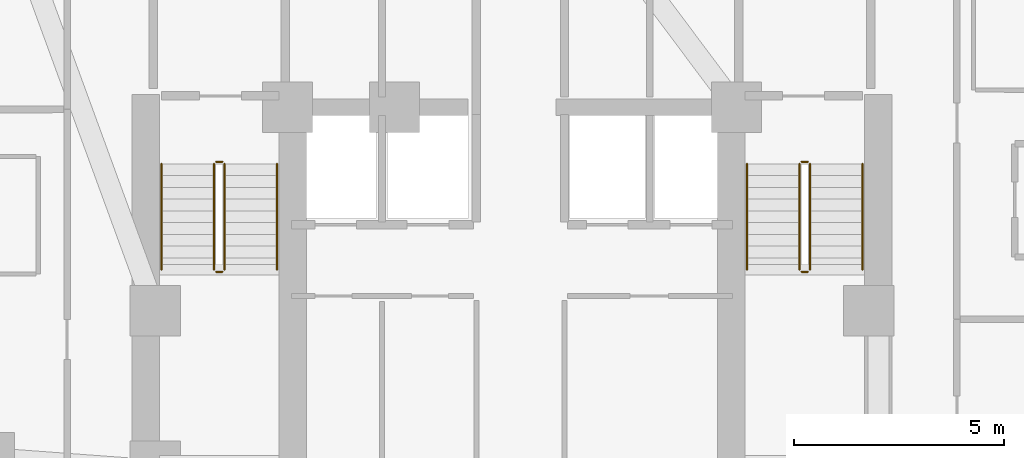
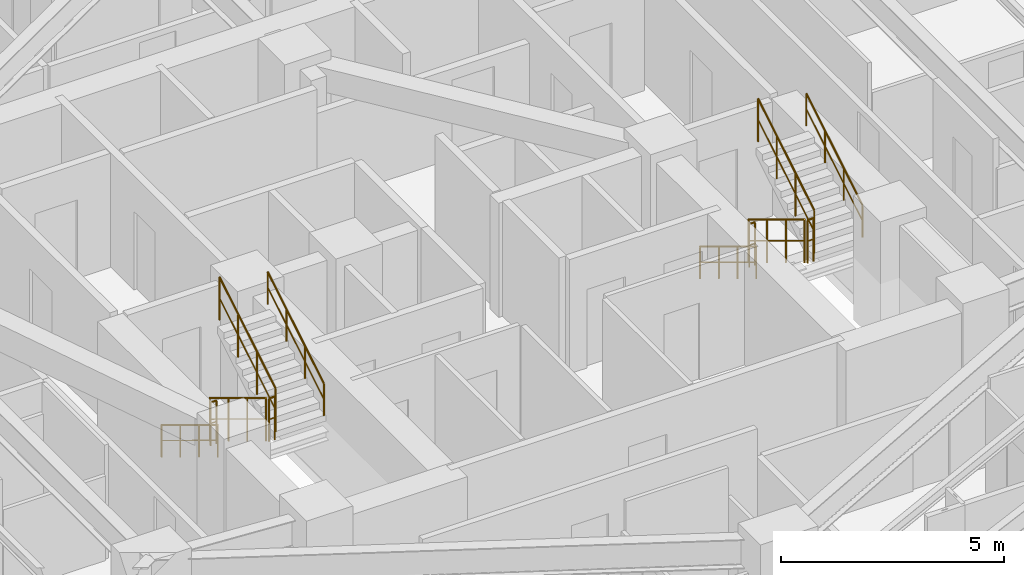
# One storey, part 16 of 16: 12 railings.
"""IFC4 building model written with IfcOpenShell, lengths in metres."""

import ifcopenshell
import ifcopenshell.guid

model = None  # the IFC model being written
_history = None  # IfcOwnerHistory: only IFC2X3 demands one
_inside = {}  # id of a spatial element -> (the spatial element, [elements in it])
_under = {}  # id of a project, library or spatial element -> (it, [spatial elements below it])
_declared = {}  # id of a project -> (the project, [libraries it declares])
_typed = {}  # id of a type object -> (the type object, [elements of that type])
_made_of = {}  # id of a material, layer set ... -> (it, [elements and type objects made of it])


def new_model(schema):
    """Start an empty IFC model of exactly this schema.

    Asked for "IFC4X3", IfcOpenShell would pick the latest addendum, in which some entities
    have other attributes; the version numbers below select the first issue.
    IFC2X3 requires an IfcOwnerHistory on every rooted entity: one is made here for all.
    """
    global model, _history
    if schema == "IFC4X3":
        model = ifcopenshell.file(schema_version=(4, 3, 0, 0))
    else:
        model = ifcopenshell.file(schema=schema)
    _inside.clear()
    _under.clear()
    _declared.clear()
    _typed.clear()
    _made_of.clear()
    _history = None
    if model.schema == "IFC2X3":
        org = make("IfcOrganization", Name="unknown")
        user = make(
            "IfcPersonAndOrganization",
            ThePerson=make("IfcPerson", FamilyName="unknown"),
            TheOrganization=org,
        )
        app = make(
            "IfcApplication",
            ApplicationDeveloper=org,
            Version="unknown",
            ApplicationFullName="unknown",
            ApplicationIdentifier="unknown",
        )
        _history = make(
            "IfcOwnerHistory",
            OwningUser=user,
            OwningApplication=app,
            ChangeAction="ADDED",
            CreationDate=0,
        )
    return model


def make(cls, **values):
    """One entity of the class cls with the attributes given. An attribute that is None is left unset."""
    return model.create_entity(
        cls, **{name: value for name, value in values.items() if value is not None}
    )


def rooted(cls, **values):
    """An entity with a GlobalId (a new one), such as an element, a storey or a relation."""
    return make(cls, GlobalId=ifcopenshell.guid.new(), OwnerHistory=_history, **values)


def si_unit(unit_type, name, prefix=None):
    """IfcSIUnit, for example si_unit("LENGTHUNIT", "METRE", prefix="MILLI")."""
    return make("IfcSIUnit", UnitType=unit_type, Prefix=prefix, Name=name)


def assignment(units):
    """IfcUnitAssignment: the units of a project."""
    return None if units is None else make("IfcUnitAssignment", Units=units)


def point(xyz):
    """IfcCartesianPoint."""
    return None if xyz is None else make("IfcCartesianPoint", Coordinates=xyz)


def direction(xyz):
    """IfcDirection."""
    return None if xyz is None else make("IfcDirection", DirectionRatios=xyz)


def frame(location, z_axis=None, x_axis=None):
    """IfcAxis2Placement3D, a coordinate frame: its origin and axes. An axis left out is left unset."""
    return make(
        "IfcAxis2Placement3D",
        Location=point(location),
        Axis=direction(z_axis),
        RefDirection=direction(x_axis),
    )


def frame_2d(location, x_axis=None):
    """IfcAxis2Placement2D, a coordinate frame in the plane: its origin and x axis."""
    return make(
        "IfcAxis2Placement2D", Location=point(location), RefDirection=direction(x_axis)
    )


def origin():
    """The frame at (0, 0, 0) with its axes left unset."""
    return frame((0.0, 0.0, 0.0))


def origin_2d():
    """The frame at (0, 0) in the plane with its x axis left unset."""
    return frame_2d((0.0, 0.0))


def place(relative_to, where):
    """IfcLocalPlacement: puts the frame where relative to a parent placement (None: the world)."""
    return make(
        "IfcLocalPlacement", PlacementRelTo=relative_to, RelativePlacement=where
    )


def context(
    kind, dimensions, precision=None, world=None, true_north=None, identifier=None
):
    """IfcGeometricRepresentationContext, for example the 3D "Model" context."""
    return make(
        "IfcGeometricRepresentationContext",
        ContextIdentifier=identifier,
        ContextType=kind,
        CoordinateSpaceDimension=dimensions,
        Precision=precision,
        WorldCoordinateSystem=world,
        TrueNorth=true_north,
    )


def subcontext(parent, identifier, kind, view, scale=None):
    """IfcGeometricRepresentationSubContext, for example "Body" below "Model"."""
    return make(
        "IfcGeometricRepresentationSubContext",
        ContextIdentifier=identifier,
        ContextType=kind,
        ParentContext=parent,
        TargetScale=scale,
        TargetView=view,
    )


def project(units=None, contexts=None):
    """IfcProject with its units and contexts."""
    return rooted(
        "IfcProject",
        Name="project",
        RepresentationContexts=contexts,
        UnitsInContext=assignment(units),
    )


def spatial(cls, under=None, at=None, **own):
    """A site, building, storey or space (cls), placed at a placement, below another one or the project."""
    s = rooted(cls, ObjectPlacement=at, **own)
    if under is not None:
        _under.setdefault(under.id(), (under, []))[1].append(s)
    return s


def profile(cls, at=None, kind="AREA", **sizes):
    """A parametric profile (cls). Its sizes go by their IFC names, for example OverallWidth=200.0."""
    return make(cls, ProfileType=kind, Position=at, **sizes)


def circle(**sizes):
    """IfcCircleProfileDef."""
    return profile("IfcCircleProfileDef", **sizes)


def extrude(swept, where, along, depth):
    """IfcExtrudedAreaSolid: the profile swept, set in the frame where, extruded along a direction by depth."""
    return make(
        "IfcExtrudedAreaSolid",
        SweptArea=swept,
        Position=where,
        ExtrudedDirection=direction(along),
        Depth=depth,
    )


def shape(context_of_items, identifier, shape_type, items):
    """IfcShapeRepresentation: the items that make up one representation, for example the "Body"."""
    return make(
        "IfcShapeRepresentation",
        ContextOfItems=context_of_items,
        RepresentationIdentifier=identifier,
        RepresentationType=shape_type,
        Items=items,
    )


def material(Name=None, Category=None):
    """IfcMaterial."""
    return make("IfcMaterial", Name=Name, Category=Category)


def made_of(thing, what):
    """Note that an element or type object is made of a material, layer set ...; save() writes the relation."""
    if what is not None:
        _made_of.setdefault(what.id(), (what, []))[1].append(thing)
    return thing


def type_object(cls, material=None, **own):
    """A type object (cls), such as IfcWallType, which elements share."""
    return made_of(rooted(cls, **own), material)


def element(
    cls,
    number,
    at=None,
    inside=None,
    cuts=None,
    type_object=None,
    material=None,
    context=None,
    identifier="Body",
    shape_type=None,
    held_by="IfcProductDefinitionShape",
    body=None,
    shapes=None,
    **own,
):
    """One element of the class cls, such as IfcWall. Its Tag is "e" and its number.

    at: its placement. inside: the storey or other place that contains it. cuts: it is an
    opening in that element (IfcRelVoidsElement). A single representation is given by context,
    identifier, shape_type and body (its items); several are given by shapes. held_by: the class
    of the entity that holds the representations. save() writes the other relations.
    """
    e = rooted(cls, Tag="e%d" % number, ObjectPlacement=at, **own)
    if body is not None:
        shapes = [shape(context, identifier, shape_type, body)]
    if shapes is not None:
        e.Representation = make(held_by, Representations=shapes)
    if inside is not None:
        _inside.setdefault(inside.id(), (inside, []))[1].append(e)
    if cuts is not None:
        rooted(
            "IfcRelVoidsElement", RelatingBuildingElement=cuts, RelatedOpeningElement=e
        )
    if type_object is not None:
        _typed.setdefault(type_object.id(), (type_object, []))[1].append(e)
    return made_of(e, material)


def aggregate(whole, parts):
    """IfcRelAggregates: a whole, such as a stair, and the parts it consists of."""
    return rooted("IfcRelAggregates", RelatingObject=whole, RelatedObjects=parts)


def save(model, path):
    """Write the relations noted so far, then the file.

    IfcRelAggregates (storeys below a building ...), IfcRelContainedInSpatialStructure (elements
    in a storey), IfcRelDefinesByType, IfcRelAssociatesMaterial and IfcRelDeclares: one each for
    every whole, place, type object, material and project.
    """
    for whole, parts in _under.values():
        aggregate(whole, parts)
    for where, things in _inside.values():
        rooted(
            "IfcRelContainedInSpatialStructure",
            RelatedElements=things,
            RelatingStructure=where,
        )
    for kind, things in _typed.values():
        rooted("IfcRelDefinesByType", RelatedObjects=things, RelatingType=kind)
    for what, things in _made_of.values():
        rooted("IfcRelAssociatesMaterial", RelatedObjects=things, RelatingMaterial=what)
    for by, libraries in _declared.values():
        rooted("IfcRelDeclares", RelatingContext=by, RelatedDefinitions=libraries)
    model.write(path)


model = new_model("IFC4")

# Units and contexts
model_context = context("Model", 3, precision=1e-05, world=origin(), true_north=direction((0.0, 1.0)))
body_context = subcontext(model_context, "Body", "Model", "MODEL_VIEW")
ifc_project = project(units=[si_unit("LENGTHUNIT", "METRE"), si_unit("AREAUNIT", "SQUARE_METRE"), si_unit("VOLUMEUNIT", "CUBIC_METRE"), si_unit("PLANEANGLEUNIT", "RADIAN"), si_unit("MASSUNIT", "GRAM", prefix="KILO")], contexts=[model_context])

# Site, building, storey
site_placement = place(None, origin())
site = spatial("IfcSite", under=ifc_project, at=site_placement, CompositionType="ELEMENT")
building_placement = place(site_placement, origin())
building = spatial("IfcBuilding", under=site, at=building_placement, Name="Miruveldt Soraemaru", CompositionType="ELEMENT")
storey_placement = place(building_placement, frame((0.0, 0.0, 42.800048828125)))
storey = spatial("IfcBuildingStorey", under=building, at=storey_placement, Name="L11", CompositionType="ELEMENT", Elevation=42.800048828125)

# Railings
ifc_material = material(Name="Steel S355 (355 MPa)", Category="steel")
railing_type_1 = type_object("IfcRailingType", Name="RAIL-HR-900", PredefinedType="HANDRAIL", material=ifc_material)
railing_1_placement = place(storey_placement, frame((35.64990234375, 42.699951171875, 0.169921875)))
element("IfcRailing", 1, at=railing_1_placement, inside=storey, type_object=railing_type_1, Name="L11 ST-1 stair handrail 1", PredefinedType="HANDRAIL", context=body_context, shape_type="SweptSolid", body=[
    extrude(circle(Radius=0.02392578125, at=origin_2d()), frame((0.0, 0.0, 0.8759765625), z_axis=(0.0, -0.85478489116, 0.518982456201), x_axis=(1.0, 0.0, 0.0)), (0.0, 0.0, 1.0), 2.9482421875),
    extrude(circle(Radius=0.01611328125, at=origin_2d()), frame((0.0, 0.0, 0.449951171875), z_axis=(0.0, -0.85478489116, 0.518982456201), x_axis=(1.0, 0.0, 0.0)), (0.0, 0.0, 1.0), 2.9482421875),
    extrude(circle(Radius=0.02099609375, at=origin_2d()), origin(), (0.0, 0.0, 1.0), 0.851806640625),
    extrude(circle(Radius=0.02099609375, at=origin_2d()), frame((0.0, -0.840087890625, 0.510009765625)), (0.0, 0.0, 1.0), 0.851806640625),
    extrude(circle(Radius=0.02099609375, at=origin_2d()), frame((0.0, -1.679931640625, 1.02001953125)), (0.0, 0.0, 1.0), 0.851806640625),
    extrude(circle(Radius=0.02099609375, at=origin_2d()), frame((0.0, -2.52001953125, 1.530029296875)), (0.0, 0.0, 1.0), 0.851806640625),
])
railing_2_placement = place(storey_placement, frame((38.39990234375, 40.179931640625, 1.869873046875)))
element("IfcRailing", 2, at=railing_2_placement, inside=storey, type_object=railing_type_1, Name="L11 ST-1 stair handrail 2", PredefinedType="HANDRAIL", context=body_context, shape_type="SweptSolid", body=[
    extrude(circle(Radius=0.02392578125, at=origin_2d()), frame((0.0, 0.0, 0.8759765625), z_axis=(0.0, 0.85478489116, 0.518982456201), x_axis=(-1.0, 0.0, 0.0)), (0.0, 0.0, 1.0), 2.9482421875),
    extrude(circle(Radius=0.01611328125, at=origin_2d()), frame((0.0, 0.0, 0.449951171875), z_axis=(0.0, 0.85478489116, 0.518982456201), x_axis=(-1.0, 0.0, 0.0)), (0.0, 0.0, 1.0), 2.9482421875),
    extrude(circle(Radius=0.02099609375, at=origin_2d()), origin(), (0.0, 0.0, 1.0), 0.851806640625),
    extrude(circle(Radius=0.02099609375, at=origin_2d()), frame((0.0, 0.840087890625, 0.510009765625)), (0.0, 0.0, 1.0), 0.851806640625),
    extrude(circle(Radius=0.02099609375, at=origin_2d()), frame((0.0, 1.679931640625, 1.02001953125)), (0.0, 0.0, 1.0), 0.851806640625),
    extrude(circle(Radius=0.02099609375, at=origin_2d()), frame((0.0, 2.52001953125, 1.530029296875)), (0.0, 0.0, 1.0), 0.851806640625),
])
railing_3_placement = place(storey_placement, frame((49.60009765625, 42.699951171875, 0.169921875)))
element("IfcRailing", 3, at=railing_3_placement, inside=storey, type_object=railing_type_1, Name="L11 ST-2 stair handrail 1", PredefinedType="HANDRAIL", context=body_context, shape_type="SweptSolid", body=[
    extrude(circle(Radius=0.02392578125, at=origin_2d()), frame((0.0, 0.0, 0.8759765625), z_axis=(0.0, -0.85478489116, 0.518982456201), x_axis=(1.0, 0.0, 0.0)), (0.0, 0.0, 1.0), 2.9482421875),
    extrude(circle(Radius=0.01611328125, at=origin_2d()), frame((0.0, 0.0, 0.449951171875), z_axis=(0.0, -0.85478489116, 0.518982456201), x_axis=(1.0, 0.0, 0.0)), (0.0, 0.0, 1.0), 2.9482421875),
    extrude(circle(Radius=0.02099609375, at=origin_2d()), origin(), (0.0, 0.0, 1.0), 0.851806640625),
    extrude(circle(Radius=0.02099609375, at=origin_2d()), frame((0.0, -0.840087890625, 0.510009765625)), (0.0, 0.0, 1.0), 0.851806640625),
    extrude(circle(Radius=0.02099609375, at=origin_2d()), frame((0.0, -1.679931640625, 1.02001953125)), (0.0, 0.0, 1.0), 0.851806640625),
    extrude(circle(Radius=0.02099609375, at=origin_2d()), frame((0.0, -2.52001953125, 1.530029296875)), (0.0, 0.0, 1.0), 0.851806640625),
])
railing_4_placement = place(storey_placement, frame((52.35009765625, 40.179931640625, 1.869873046875)))
element("IfcRailing", 4, at=railing_4_placement, inside=storey, type_object=railing_type_1, Name="L11 ST-2 stair handrail 2", PredefinedType="HANDRAIL", context=body_context, shape_type="SweptSolid", body=[
    extrude(circle(Radius=0.02392578125, at=origin_2d()), frame((0.0, 0.0, 0.8759765625), z_axis=(0.0, 0.85478489116, 0.518982456201), x_axis=(-1.0, 0.0, 0.0)), (0.0, 0.0, 1.0), 2.9482421875),
    extrude(circle(Radius=0.01611328125, at=origin_2d()), frame((0.0, 0.0, 0.449951171875), z_axis=(0.0, 0.85478489116, 0.518982456201), x_axis=(-1.0, 0.0, 0.0)), (0.0, 0.0, 1.0), 2.9482421875),
    extrude(circle(Radius=0.02099609375, at=origin_2d()), origin(), (0.0, 0.0, 1.0), 0.851806640625),
    extrude(circle(Radius=0.02099609375, at=origin_2d()), frame((0.0, 0.840087890625, 0.510009765625)), (0.0, 0.0, 1.0), 0.851806640625),
    extrude(circle(Radius=0.02099609375, at=origin_2d()), frame((0.0, 1.679931640625, 1.02001953125)), (0.0, 0.0, 1.0), 0.851806640625),
    extrude(circle(Radius=0.02099609375, at=origin_2d()), frame((0.0, 2.52001953125, 1.530029296875)), (0.0, 0.0, 1.0), 0.851806640625),
])
railing_type_2 = type_object("IfcRailingType", Name="RAIL-STGUARD-1200", PredefinedType="GUARDRAIL", material=ifc_material)
railing_5_placement = place(storey_placement, frame((36.89990234375, 42.699951171875, 0.169921875)))
element("IfcRailing", 5, at=railing_5_placement, inside=storey, type_object=railing_type_2, Name="L11 ST-1 stair guard 1", PredefinedType="GUARDRAIL", context=body_context, shape_type="SweptSolid", body=[
    extrude(circle(Radius=0.02392578125, at=origin_2d()), frame((0.0, 0.0, 1.17578125), z_axis=(0.0, -0.85478489116, 0.518982456201), x_axis=(1.0, 0.0, 0.0)), (0.0, 0.0, 1.0), 2.9482421875),
    extrude(circle(Radius=0.01611328125, at=origin_2d()), frame((0.0, 0.0, 0.60009765625), z_axis=(0.0, -0.85478489116, 0.518982456201), x_axis=(1.0, 0.0, 0.0)), (0.0, 0.0, 1.0), 2.9482421875),
    extrude(circle(Radius=0.02099609375, at=origin_2d()), origin(), (0.0, 0.0, 1.0), 1.15185546875),
    extrude(circle(Radius=0.02099609375, at=origin_2d()), frame((0.0, -0.840087890625, 0.510009765625)), (0.0, 0.0, 1.0), 1.15185546875),
    extrude(circle(Radius=0.02099609375, at=origin_2d()), frame((0.0, -1.679931640625, 1.02001953125)), (0.0, 0.0, 1.0), 1.15185546875),
    extrude(circle(Radius=0.02099609375, at=origin_2d()), frame((0.0, -2.52001953125, 1.530029296875)), (0.0, 0.0, 1.0), 1.15185546875),
])
railing_6_placement = place(storey_placement, frame((36.949951171875, 40.1298828125, 1.699951171875)))
element("IfcRailing", 6, at=railing_6_placement, inside=storey, type_object=railing_type_2, Name="L11 ST-1 stair guard 2", PredefinedType="GUARDRAIL", context=body_context, shape_type="SweptSolid", body=[
    extrude(circle(Radius=0.02392578125, at=origin_2d()), frame((0.0, 0.0, 1.17578125), z_axis=(1.0, 0.0, 0.0), x_axis=(0.0, 1.0, 0.0)), (0.0, 0.0, 1.0), 0.150146484375),
    extrude(circle(Radius=0.01611328125, at=origin_2d()), frame((0.0, 0.0, 0.60009765625), z_axis=(1.0, 0.0, 0.0), x_axis=(0.0, 1.0, 0.0)), (0.0, 0.0, 1.0), 0.150146484375),
    extrude(circle(Radius=0.02099609375, at=origin_2d()), origin(), (0.0, 0.0, 1.0), 1.15185546875),
    extrude(circle(Radius=0.02099609375, at=origin_2d()), frame((0.150146484375, 0.0, 0.0)), (0.0, 0.0, 1.0), 1.15185546875),
])
railing_7_placement = place(storey_placement, frame((37.14990234375, 40.179931640625, 1.869873046875)))
element("IfcRailing", 7, at=railing_7_placement, inside=storey, type_object=railing_type_2, Name="L11 ST-1 stair guard 3", PredefinedType="GUARDRAIL", context=body_context, shape_type="SweptSolid", body=[
    extrude(circle(Radius=0.02392578125, at=origin_2d()), frame((0.0, 0.0, 1.17578125), z_axis=(0.0, 0.85478489116, 0.518982456201), x_axis=(-1.0, 0.0, 0.0)), (0.0, 0.0, 1.0), 2.9482421875),
    extrude(circle(Radius=0.01611328125, at=origin_2d()), frame((0.0, 0.0, 0.60009765625), z_axis=(0.0, 0.85478489116, 0.518982456201), x_axis=(-1.0, 0.0, 0.0)), (0.0, 0.0, 1.0), 2.9482421875),
    extrude(circle(Radius=0.02099609375, at=origin_2d()), origin(), (0.0, 0.0, 1.0), 1.15185546875),
    extrude(circle(Radius=0.02099609375, at=origin_2d()), frame((0.0, 0.840087890625, 0.510009765625)), (0.0, 0.0, 1.0), 1.15185546875),
    extrude(circle(Radius=0.02099609375, at=origin_2d()), frame((0.0, 1.679931640625, 1.02001953125)), (0.0, 0.0, 1.0), 1.15185546875),
    extrude(circle(Radius=0.02099609375, at=origin_2d()), frame((0.0, 2.52001953125, 1.530029296875)), (0.0, 0.0, 1.0), 1.15185546875),
])
railing_8_placement = place(storey_placement, frame((36.949951171875, 42.75, 0.0)))
element("IfcRailing", 8, at=railing_8_placement, inside=storey, type_object=railing_type_2, Name="L11 ST-1 stair guard 4", PredefinedType="GUARDRAIL", context=body_context, shape_type="SweptSolid", body=[
    extrude(circle(Radius=0.02392578125, at=origin_2d()), frame((0.0, 0.0, 1.17578125), z_axis=(1.0, 0.0, 0.0), x_axis=(0.0, 1.0, 0.0)), (0.0, 0.0, 1.0), 0.150146484375),
    extrude(circle(Radius=0.01611328125, at=origin_2d()), frame((0.0, 0.0, 0.60009765625), z_axis=(1.0, 0.0, 0.0), x_axis=(0.0, 1.0, 0.0)), (0.0, 0.0, 1.0), 0.150146484375),
    extrude(circle(Radius=0.02099609375, at=origin_2d()), origin(), (0.0, 0.0, 1.0), 1.15185546875),
    extrude(circle(Radius=0.02099609375, at=origin_2d()), frame((0.150146484375, 0.0, 0.0)), (0.0, 0.0, 1.0), 1.15185546875),
])
railing_9_placement = place(storey_placement, frame((50.85009765625, 42.699951171875, 0.169921875)))
element("IfcRailing", 9, at=railing_9_placement, inside=storey, type_object=railing_type_2, Name="L11 ST-2 stair guard 1", PredefinedType="GUARDRAIL", context=body_context, shape_type="SweptSolid", body=[
    extrude(circle(Radius=0.02392578125, at=origin_2d()), frame((0.0, 0.0, 1.17578125), z_axis=(0.0, -0.85478489116, 0.518982456201), x_axis=(1.0, 0.0, 0.0)), (0.0, 0.0, 1.0), 2.9482421875),
    extrude(circle(Radius=0.01611328125, at=origin_2d()), frame((0.0, 0.0, 0.60009765625), z_axis=(0.0, -0.85478489116, 0.518982456201), x_axis=(1.0, 0.0, 0.0)), (0.0, 0.0, 1.0), 2.9482421875),
    extrude(circle(Radius=0.02099609375, at=origin_2d()), origin(), (0.0, 0.0, 1.0), 1.15185546875),
    extrude(circle(Radius=0.02099609375, at=origin_2d()), frame((0.0, -0.840087890625, 0.510009765625)), (0.0, 0.0, 1.0), 1.15185546875),
    extrude(circle(Radius=0.02099609375, at=origin_2d()), frame((0.0, -1.679931640625, 1.02001953125)), (0.0, 0.0, 1.0), 1.15185546875),
    extrude(circle(Radius=0.02099609375, at=origin_2d()), frame((0.0, -2.52001953125, 1.530029296875)), (0.0, 0.0, 1.0), 1.15185546875),
])
railing_10_placement = place(storey_placement, frame((50.89990234375, 40.1298828125, 1.699951171875)))
element("IfcRailing", 10, at=railing_10_placement, inside=storey, type_object=railing_type_2, Name="L11 ST-2 stair guard 2", PredefinedType="GUARDRAIL", context=body_context, shape_type="SweptSolid", body=[
    extrude(circle(Radius=0.02392578125, at=origin_2d()), frame((0.0, 0.0, 1.17578125), z_axis=(1.0, 0.0, 0.0), x_axis=(0.0, 1.0, 0.0)), (0.0, 0.0, 1.0), 0.150146484375),
    extrude(circle(Radius=0.01611328125, at=origin_2d()), frame((0.0, 0.0, 0.60009765625), z_axis=(1.0, 0.0, 0.0), x_axis=(0.0, 1.0, 0.0)), (0.0, 0.0, 1.0), 0.150146484375),
    extrude(circle(Radius=0.02099609375, at=origin_2d()), origin(), (0.0, 0.0, 1.0), 1.15185546875),
    extrude(circle(Radius=0.02099609375, at=origin_2d()), frame((0.150146484375, 0.0, 0.0)), (0.0, 0.0, 1.0), 1.15185546875),
])
railing_11_placement = place(storey_placement, frame((51.10009765625, 40.179931640625, 1.869873046875)))
element("IfcRailing", 11, at=railing_11_placement, inside=storey, type_object=railing_type_2, Name="L11 ST-2 stair guard 3", PredefinedType="GUARDRAIL", context=body_context, shape_type="SweptSolid", body=[
    extrude(circle(Radius=0.02392578125, at=origin_2d()), frame((0.0, 0.0, 1.17578125), z_axis=(0.0, 0.85478489116, 0.518982456201), x_axis=(-1.0, 0.0, 0.0)), (0.0, 0.0, 1.0), 2.9482421875),
    extrude(circle(Radius=0.01611328125, at=origin_2d()), frame((0.0, 0.0, 0.60009765625), z_axis=(0.0, 0.85478489116, 0.518982456201), x_axis=(-1.0, 0.0, 0.0)), (0.0, 0.0, 1.0), 2.9482421875),
    extrude(circle(Radius=0.02099609375, at=origin_2d()), origin(), (0.0, 0.0, 1.0), 1.15185546875),
    extrude(circle(Radius=0.02099609375, at=origin_2d()), frame((0.0, 0.840087890625, 0.510009765625)), (0.0, 0.0, 1.0), 1.15185546875),
    extrude(circle(Radius=0.02099609375, at=origin_2d()), frame((0.0, 1.679931640625, 1.02001953125)), (0.0, 0.0, 1.0), 1.15185546875),
    extrude(circle(Radius=0.02099609375, at=origin_2d()), frame((0.0, 2.52001953125, 1.530029296875)), (0.0, 0.0, 1.0), 1.15185546875),
])
railing_12_placement = place(storey_placement, frame((50.89990234375, 42.75, 0.0)))
element("IfcRailing", 12, at=railing_12_placement, inside=storey, type_object=railing_type_2, Name="L11 ST-2 stair guard 4", PredefinedType="GUARDRAIL", context=body_context, shape_type="SweptSolid", body=[
    extrude(circle(Radius=0.02392578125, at=origin_2d()), frame((0.0, 0.0, 1.17578125), z_axis=(1.0, 0.0, 0.0), x_axis=(0.0, 1.0, 0.0)), (0.0, 0.0, 1.0), 0.150146484375),
    extrude(circle(Radius=0.01611328125, at=origin_2d()), frame((0.0, 0.0, 0.60009765625), z_axis=(1.0, 0.0, 0.0), x_axis=(0.0, 1.0, 0.0)), (0.0, 0.0, 1.0), 0.150146484375),
    extrude(circle(Radius=0.02099609375, at=origin_2d()), origin(), (0.0, 0.0, 1.0), 1.15185546875),
    extrude(circle(Radius=0.02099609375, at=origin_2d()), frame((0.150146484375, 0.0, 0.0)), (0.0, 0.0, 1.0), 1.15185546875),
])

save(model, "model.ifc")
